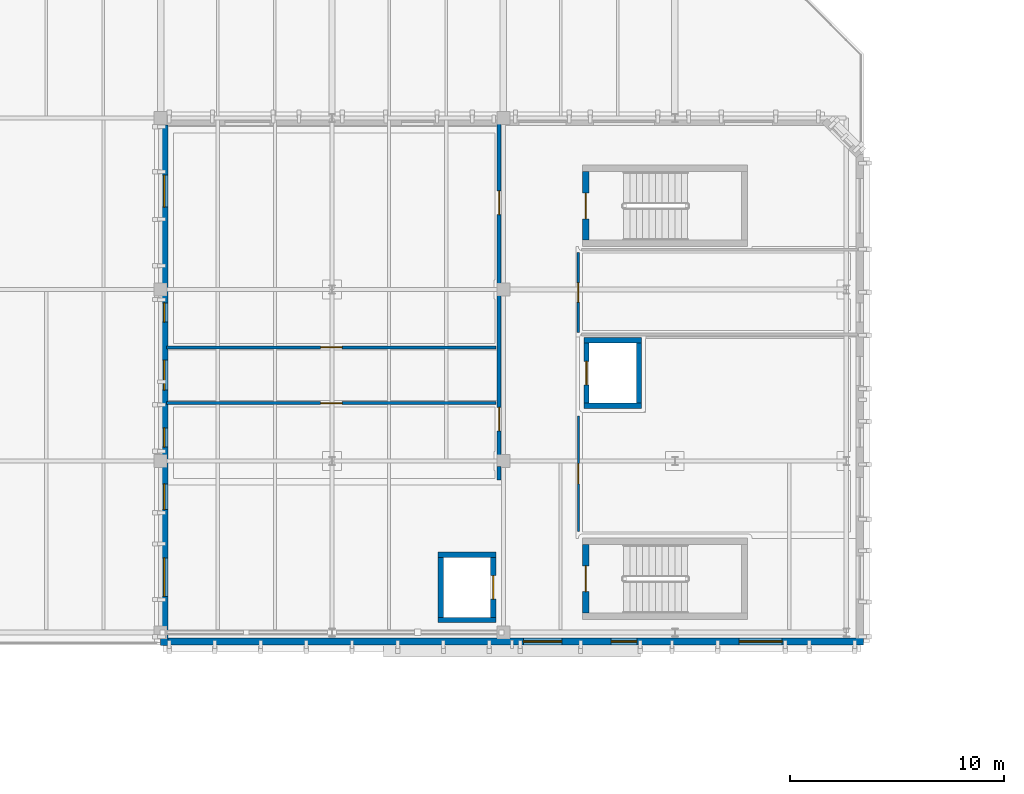
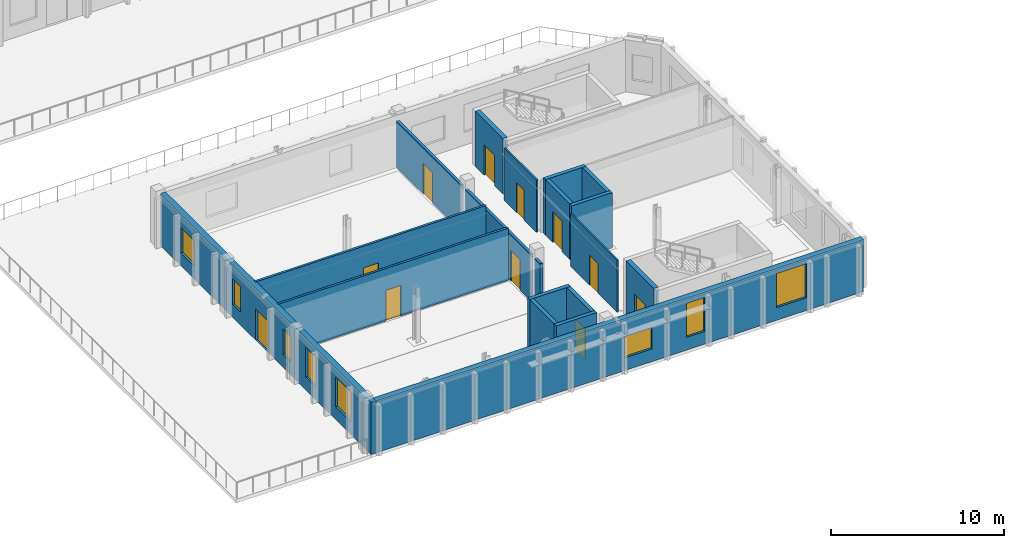
# One storey, part 24 of 43: 19 walls, 11 doors, 8 windows, 19 openings.
"""IFC4 building model written with IfcOpenShell, lengths in metres."""

from ifc_helpers import new_model, si_unit, direction, frame, frame_2d, origin, place, context, subcontext, project, spatial, rectangle, extrude, material, layer, layer_set, type_object, element, fill, save


model = new_model("IFC4")

# Units and contexts
model_context = context("Model", 3, precision=1e-05, world=origin(), true_north=direction((0.0, 1.0)))
body_context = subcontext(model_context, "Body", "Model", "MODEL_VIEW")
ifc_project = project(units=[si_unit("LENGTHUNIT", "METRE"), si_unit("AREAUNIT", "SQUARE_METRE"), si_unit("VOLUMEUNIT", "CUBIC_METRE"), si_unit("PLANEANGLEUNIT", "RADIAN"), si_unit("MASSUNIT", "GRAM", prefix="KILO")], contexts=[model_context])

# Site, building, storey
site_placement = place(None, origin())
site = spatial("IfcSite", under=ifc_project, at=site_placement, CompositionType="ELEMENT")
building_placement = place(site_placement, origin())
building = spatial("IfcBuilding", under=site, at=building_placement, Name="Cymarion Research Institute", CompositionType="ELEMENT")
storey_placement = place(building_placement, frame((0.0, 0.0, 22.800048828125)))
storey = spatial("IfcBuildingStorey", under=building, at=storey_placement, Name="L05", CompositionType="ELEMENT", Elevation=22.800048828125)

# Wall, openings, windows
ifc_material_1 = material(Name="Precast concrete C40/50", Category="concrete")
ifc_layer_1 = layer(ifc_material_1, 0.340087890625)
ifc_layer_set_1 = layer_set([ifc_layer_1], Name="Precast concrete C40/50")
wall_type_1 = type_object("IfcWallType", Name="EXTERIOR WALL EW-PC340 340MM", PredefinedType="SOLIDWALL", material=ifc_layer_set_1)
wall_1_placement = place(storey_placement, frame((14.922119140625, 47.070068359375, 0.0), z_axis=(0.0, 0.0, 1.0), x_axis=(1.0, 0.0, 0.0)))
wall_1 = element("IfcWall", 1, at=wall_1_placement, inside=storey, type_object=wall_type_1, Name="L05 V4 exterior wall EW-PC340 #239", PredefinedType="SOLIDWALL", context=body_context, shape_type="SweptSolid", body=[
    extrude(rectangle(XDim=32.477783203125, YDim=0.340087890625, at=frame_2d((16.23876953125, 0.0))), origin(), (0.0, 0.0, 1.0), 3.679931640625),
])
opening_1_placement = place(wall_1_placement, frame((16.60791015625, 0.0, 0.89990234375)))
opening_1 = element("IfcOpeningElement", 2, at=opening_1_placement, cuts=wall_1, Name="Opening W17", PredefinedType="OPENING", context=body_context, shape_type="SweptSolid", body=[
    extrude(rectangle(XDim=1.800048828125, YDim=1.5, at=frame_2d((0.89990234375, 0.75))), frame((0.0, 0.179931640625, 0.0), z_axis=(0.0, -1.0, 0.0), x_axis=(1.0, 0.0, 0.0)), (0.0, 0.0, 1.0), 0.360107421875),
])
opening_2_placement = place(wall_1_placement, frame((20.7080078125, 0.0, 0.89990234375)))
opening_2 = element("IfcOpeningElement", 3, at=opening_2_placement, cuts=wall_1, Name="Opening W19", PredefinedType="OPENING", context=body_context, shape_type="SweptSolid", body=[
    extrude(rectangle(XDim=1.199951171875, YDim=2.39990234375, at=frame_2d((0.60009765625, 1.199951171875))), frame((0.0, 0.179931640625, 0.0), z_axis=(0.0, -1.0, 0.0), x_axis=(1.0, 0.0, 0.0)), (0.0, 0.0, 1.0), 0.360107421875),
])
opening_3_placement = place(wall_1_placement, frame((26.677978515625, 0.0, 0.89990234375)))
opening_3 = element("IfcOpeningElement", 4, at=opening_3_placement, cuts=wall_1, Name="Opening W21", PredefinedType="OPENING", context=body_context, shape_type="SweptSolid", body=[
    extrude(rectangle(XDim=2.0, YDim=2.39990234375, at=frame_2d((1.0, 1.199951171875))), frame((0.0, 0.179931640625, 0.0), z_axis=(0.0, -1.0, 0.0), x_axis=(1.0, 0.0, 0.0)), (0.0, 0.0, 1.0), 0.360107421875),
])
ifc_material_2 = material(Name="Thermally broken aluminium window with Low-E glazing", Category="aluminium")
window_type_1 = type_object("IfcWindowType", Name="THERMALLY BROKEN ALUMINIUM WINDOW W17 1800X1500", PartitioningType="DOUBLE_PANEL_HORIZONTAL", PredefinedType="WINDOW", material=ifc_material_2)
window_1_placement = place(opening_1_placement, origin())
window_1 = element("IfcWindow", 5, at=window_1_placement, inside=storey, type_object=window_type_1, Name="L05 V4 facade window W17 #419", OverallHeight=1.5, OverallWidth=1.800048828125, PartitioningType="SINGLE_PANEL", PredefinedType="WINDOW", context=body_context, shape_type="SweptSolid", body=[
    extrude(rectangle(XDim=1.800048828125, YDim=1.5, at=frame_2d((0.89990234375, 0.75))), frame((0.0, 0.030029296875, 0.0), z_axis=(0.0, -1.0, 0.0), x_axis=(1.0, 0.0, 0.0)), (0.0, 0.0, 1.0), 0.06005859375),
])
fill(opening_1, window_1)
window_type_2 = type_object("IfcWindowType", Name="THERMALLY BROKEN ALUMINIUM WINDOW W19 1200X2400", PartitioningType="SINGLE_PANEL", PredefinedType="WINDOW", material=ifc_material_2)
window_2_placement = place(opening_2_placement, origin())
window_2 = element("IfcWindow", 6, at=window_2_placement, inside=storey, type_object=window_type_2, Name="L05 V4 facade window W19 #420", OverallHeight=2.39990234375, OverallWidth=1.199951171875, PartitioningType="SINGLE_PANEL", PredefinedType="WINDOW", context=body_context, shape_type="SweptSolid", body=[
    extrude(rectangle(XDim=1.199951171875, YDim=2.39990234375, at=frame_2d((0.60009765625, 1.199951171875))), frame((0.0, 0.030029296875, 0.0), z_axis=(0.0, -1.0, 0.0), x_axis=(1.0, 0.0, 0.0)), (0.0, 0.0, 1.0), 0.06005859375),
])
fill(opening_2, window_2)
window_type_3 = type_object("IfcWindowType", Name="THERMALLY BROKEN ALUMINIUM WINDOW W21 2000X2400", PartitioningType="DOUBLE_PANEL_VERTICAL", PredefinedType="WINDOW", material=ifc_material_2)
window_3_placement = place(opening_3_placement, origin())
window_3 = element("IfcWindow", 7, at=window_3_placement, inside=storey, type_object=window_type_3, Name="L05 V4 facade window W21 #421", OverallHeight=2.39990234375, OverallWidth=2.0, PartitioningType="SINGLE_PANEL", PredefinedType="WINDOW", context=body_context, shape_type="SweptSolid", body=[
    extrude(rectangle(XDim=2.0, YDim=2.39990234375, at=frame_2d((1.0, 1.199951171875))), frame((0.0, 0.030029296875, 0.0), z_axis=(0.0, -1.0, 0.0), x_axis=(1.0, 0.0, 0.0)), (0.0, 0.0, 1.0), 0.06005859375),
])
fill(opening_3, window_3)

# Wall, openings, door, windows
wall_2_placement = place(storey_placement, frame((14.77001953125, 71.177978515625, 0.0), z_axis=(0.0, 0.0, 1.0), x_axis=(0.0, -1.0, 0.0)))
wall_2 = element("IfcWall", 8, at=wall_2_placement, inside=storey, type_object=wall_type_1, Name="L05 V4 exterior wall EW-PC340 #243", PredefinedType="SOLIDWALL", context=body_context, shape_type="SweptSolid", body=[
    extrude(rectangle(XDim=24.278076171875, YDim=0.340087890625, at=frame_2d((12.13916015625, 0.0))), origin(), (0.0, 0.0, 1.0), 3.679931640625),
])
opening_4_placement = place(wall_2_placement, frame((10.97802734375, 0.0, 0.0)))
opening_4 = element("IfcOpeningElement", 9, at=opening_4_placement, cuts=wall_2, Name="Opening D-TR-L05-V4", PredefinedType="OPENING", context=body_context, shape_type="SweptSolid", body=[
    extrude(rectangle(XDim=1.39990234375, YDim=2.199951171875, at=frame_2d((0.699951171875, 1.10009765625))), frame((0.0, 0.179931640625, 0.0), z_axis=(0.0, -1.0, 0.0), x_axis=(1.0, 0.0, 0.0)), (0.0, 0.0, 1.0), 0.360107421875),
])
opening_5_placement = place(wall_2_placement, frame((2.333984375, 0.0, 0.89990234375)))
opening_5 = element("IfcOpeningElement", 10, at=opening_5_placement, cuts=wall_2, Name="Opening W02", PredefinedType="OPENING", context=body_context, shape_type="SweptSolid", body=[
    extrude(rectangle(XDim=1.5, YDim=1.800048828125, at=frame_2d((0.75, 0.89990234375))), frame((0.0, 0.179931640625, 0.0), z_axis=(0.0, -1.0, 0.0), x_axis=(1.0, 0.0, 0.0)), (0.0, 0.0, 1.0), 0.360107421875),
])
opening_6_placement = place(wall_2_placement, frame((8.298095703125, 0.0, 0.89990234375)))
opening_6 = element("IfcOpeningElement", 11, at=opening_6_placement, cuts=wall_2, Name="Opening W24", PredefinedType="OPENING", context=body_context, shape_type="SweptSolid", body=[
    extrude(rectangle(XDim=0.89990234375, YDim=1.800048828125, at=frame_2d((0.449951171875, 0.89990234375))), frame((0.0, 0.179931640625, 0.0), z_axis=(0.0, -1.0, 0.0), x_axis=(1.0, 0.0, 0.0)), (0.0, 0.0, 1.0), 0.360107421875),
])
opening_7_placement = place(wall_2_placement, frame((14.133056640625, 0.0, 0.89990234375)))
opening_7 = element("IfcOpeningElement", 12, at=opening_7_placement, cuts=wall_2, Name="Opening W24", PredefinedType="OPENING", context=body_context, shape_type="SweptSolid", body=[
    extrude(rectangle(XDim=0.89990234375, YDim=1.800048828125, at=frame_2d((0.449951171875, 0.89990234375))), frame((0.0, 0.179931640625, 0.0), z_axis=(0.0, -1.0, 0.0), x_axis=(1.0, 0.0, 0.0)), (0.0, 0.0, 1.0), 0.360107421875),
])
opening_8_placement = place(wall_2_placement, frame((16.748046875, 0.0, 0.89990234375)))
opening_8 = element("IfcOpeningElement", 13, at=opening_8_placement, cuts=wall_2, Name="Opening W08", PredefinedType="OPENING", context=body_context, shape_type="SweptSolid", body=[
    extrude(rectangle(XDim=1.199951171875, YDim=2.10009765625, at=frame_2d((0.60009765625, 1.050048828125))), frame((0.0, 0.179931640625, 0.0), z_axis=(0.0, -1.0, 0.0), x_axis=(1.0, 0.0, 0.0)), (0.0, 0.0, 1.0), 0.360107421875),
])
opening_9_placement = place(wall_2_placement, frame((20.197998046875, 0.0, 0.89990234375)))
opening_9 = element("IfcOpeningElement", 14, at=opening_9_placement, cuts=wall_2, Name="Opening W10", PredefinedType="OPENING", context=body_context, shape_type="SweptSolid", body=[
    extrude(rectangle(XDim=1.800048828125, YDim=2.10009765625, at=frame_2d((0.89990234375, 1.050048828125))), frame((0.0, 0.179931640625, 0.0), z_axis=(0.0, -1.0, 0.0), x_axis=(1.0, 0.0, 0.0)), (0.0, 0.0, 1.0), 0.360107421875),
])
ifc_material_3 = material(Name="Thermally broken anodised aluminium glazed door", Category="aluminium")
door_type_1 = type_object("IfcDoorType", Name="GLAZED ALUMINIUM TERRACE ACCESS DOOR DT-TR140 1400X2200", OperationType="NOTDEFINED", PredefinedType="DOOR", material=ifc_material_3)
door_1_placement = place(opening_4_placement, frame((1.39990234375, 0.0, 0.0), z_axis=(0.0, 0.0, 1.0), x_axis=(-1.0, 0.0, 0.0)))
door_1 = element("IfcDoor", 15, at=door_1_placement, inside=storey, type_object=door_type_1, Name="L05 V4 Roof Garden Terrace Door D-TR-L05-V4", OperationType="SINGLE_SWING_RIGHT", OverallHeight=2.199951171875, OverallWidth=1.39990234375, PredefinedType="DOOR", context=body_context, shape_type="SweptSolid", body=[
    extrude(rectangle(XDim=1.39990234375, YDim=2.199951171875, at=frame_2d((0.699951171875, 1.10009765625))), frame((0.0, 0.02490234375, 0.0), z_axis=(0.0, -1.0, 0.0), x_axis=(1.0, 0.0, 0.0)), (0.0, 0.0, 1.0), 0.050048828125),
])
fill(opening_4, door_1)
window_type_4 = type_object("IfcWindowType", Name="THERMALLY BROKEN ALUMINIUM WINDOW W02 1500X1800", PartitioningType="DOUBLE_PANEL_VERTICAL", PredefinedType="WINDOW", material=ifc_material_2)
window_4_placement = place(opening_5_placement, origin())
window_4 = element("IfcWindow", 16, at=window_4_placement, inside=storey, type_object=window_type_4, Name="L05 V4 facade window W02 #434", OverallHeight=1.800048828125, OverallWidth=1.5, PartitioningType="SINGLE_PANEL", PredefinedType="WINDOW", context=body_context, shape_type="SweptSolid", body=[
    extrude(rectangle(XDim=1.5, YDim=1.800048828125, at=frame_2d((0.75, 0.89990234375))), frame((0.0, 0.030029296875, 0.0), z_axis=(0.0, -1.0, 0.0), x_axis=(1.0, 0.0, 0.0)), (0.0, 0.0, 1.0), 0.06005859375),
])
fill(opening_5, window_4)
window_type_5 = type_object("IfcWindowType", Name="THERMALLY BROKEN ALUMINIUM WINDOW W08 1200X2100", PartitioningType="SINGLE_PANEL", PredefinedType="WINDOW", material=ifc_material_2)
window_5_placement = place(opening_8_placement, origin())
window_5 = element("IfcWindow", 17, at=window_5_placement, inside=storey, type_object=window_type_5, Name="L05 V4 facade window W08 #437", OverallHeight=2.10009765625, OverallWidth=1.199951171875, PartitioningType="SINGLE_PANEL", PredefinedType="WINDOW", context=body_context, shape_type="SweptSolid", body=[
    extrude(rectangle(XDim=1.199951171875, YDim=2.10009765625, at=frame_2d((0.60009765625, 1.050048828125))), frame((0.0, 0.030029296875, 0.0), z_axis=(0.0, -1.0, 0.0), x_axis=(1.0, 0.0, 0.0)), (0.0, 0.0, 1.0), 0.06005859375),
])
fill(opening_8, window_5)
window_type_6 = type_object("IfcWindowType", Name="THERMALLY BROKEN ALUMINIUM WINDOW W10 1800X2100", PartitioningType="DOUBLE_PANEL_VERTICAL", PredefinedType="WINDOW", material=ifc_material_2)
window_6_placement = place(opening_9_placement, origin())
window_6 = element("IfcWindow", 18, at=window_6_placement, inside=storey, type_object=window_type_6, Name="L05 V4 facade window W10 #438", OverallHeight=2.10009765625, OverallWidth=1.800048828125, PartitioningType="SINGLE_PANEL", PredefinedType="WINDOW", context=body_context, shape_type="SweptSolid", body=[
    extrude(rectangle(XDim=1.800048828125, YDim=2.10009765625, at=frame_2d((0.89990234375, 1.050048828125))), frame((0.0, 0.030029296875, 0.0), z_axis=(0.0, -1.0, 0.0), x_axis=(1.0, 0.0, 0.0)), (0.0, 0.0, 1.0), 0.06005859375),
])
fill(opening_9, window_6)
window_type_7 = type_object("IfcWindowType", Name="THERMALLY BROKEN ALUMINIUM WINDOW W24 900X1800", PartitioningType="SINGLE_PANEL", PredefinedType="WINDOW", material=ifc_material_2)
window_7_placement = place(opening_6_placement, origin())
window_7 = element("IfcWindow", 19, at=window_7_placement, inside=storey, type_object=window_type_7, Name="L05 V4 facade window W24 #435", OverallHeight=1.800048828125, OverallWidth=0.89990234375, PartitioningType="SINGLE_PANEL", PredefinedType="WINDOW", context=body_context, shape_type="SweptSolid", body=[
    extrude(rectangle(XDim=0.89990234375, YDim=1.800048828125, at=frame_2d((0.449951171875, 0.89990234375))), frame((0.0, 0.030029296875, 0.0), z_axis=(0.0, -1.0, 0.0), x_axis=(1.0, 0.0, 0.0)), (0.0, 0.0, 1.0), 0.06005859375),
])
fill(opening_6, window_7)
window_8_placement = place(opening_7_placement, origin())
window_8 = element("IfcWindow", 20, at=window_8_placement, inside=storey, type_object=window_type_7, Name="L05 V4 facade window W24 #436", OverallHeight=1.800048828125, OverallWidth=0.89990234375, PartitioningType="SINGLE_PANEL", PredefinedType="WINDOW", context=body_context, shape_type="SweptSolid", body=[
    extrude(rectangle(XDim=0.89990234375, YDim=1.800048828125, at=frame_2d((0.449951171875, 0.89990234375))), frame((0.0, 0.030029296875, 0.0), z_axis=(0.0, -1.0, 0.0), x_axis=(1.0, 0.0, 0.0)), (0.0, 0.0, 1.0), 0.06005859375),
])
fill(opening_7, window_8)

# Wall, opening, door
ifc_material_4 = material(Name="Gypsum acoustic double-stud partition", Category="gypsum")
ifc_layer_2 = layer(ifc_material_4, 0.14990234375)
ifc_layer_set_2 = layer_set([ifc_layer_2], Name="Gypsum acoustic double-stud partition")
wall_type_2 = type_object("IfcWallType", Name="INTERIOR PARTITION IW-AC150 150MM", PredefinedType="PARTITIONING", material=ifc_layer_set_2)
wall_3_placement = place(storey_placement, frame((14.885009765625, 58.199951171875, 0.0), z_axis=(0.0, 0.0, 1.0), x_axis=(1.0, 0.0, 0.0)))
wall_3 = element("IfcWall", 21, at=wall_3_placement, inside=storey, type_object=wall_type_2, Name="L05 V4 interior partition IW-AC150 #326", PredefinedType="PARTITIONING", context=body_context, shape_type="SweptSolid", body=[
    extrude(rectangle(XDim=15.364990234375, YDim=0.14990234375, at=frame_2d((7.6826171875, 0.0))), origin(), (0.0, 0.0, 1.0), 3.679931640625),
])
opening_10_placement = place(wall_3_placement, frame((7.181884765625, 0.0, 0.0)))
opening_10 = element("IfcOpeningElement", 22, at=opening_10_placement, cuts=wall_3, Name="Opening D-L05-195", PredefinedType="OPENING", context=body_context, shape_type="SweptSolid", body=[
    extrude(rectangle(XDim=1.0, YDim=2.14990234375, at=frame_2d((0.5, 1.074951171875))), frame((0.0, 0.0849609375, 0.0), z_axis=(0.0, -1.0, 0.0), x_axis=(1.0, 0.0, 0.0)), (0.0, 0.0, 1.0), 0.169921875),
])
ifc_material_5 = material(Name="Flush acoustic timber/steel door assembly", Category="steel")
door_type_2 = type_object("IfcDoorType", Name="LABORATORY SINGLE LEAF DOOR DT-LB100 1000X2150", OperationType="NOTDEFINED", PredefinedType="DOOR", material=ifc_material_5)
door_2_placement = place(opening_10_placement, origin())
door_2 = element("IfcDoor", 23, at=door_2_placement, inside=storey, type_object=door_type_2, Name="L05 Laser Lab door D-L05-195", OperationType="SINGLE_SWING_RIGHT", OverallHeight=2.14990234375, OverallWidth=1.0, PredefinedType="DOOR", context=body_context, shape_type="SweptSolid", body=[
    extrude(rectangle(XDim=1.0, YDim=2.14990234375, at=frame_2d((0.5, 1.074951171875))), frame((0.0, 0.02490234375, 0.0), z_axis=(0.0, -1.0, 0.0), x_axis=(1.0, 0.0, 0.0)), (0.0, 0.0, 1.0), 0.050048828125),
])
fill(opening_10, door_2)

wall_4_placement = place(storey_placement, frame((14.885009765625, 60.800048828125, 0.0), z_axis=(0.0, 0.0, 1.0), x_axis=(1.0, 0.0, 0.0)))
wall_4 = element("IfcWall", 24, at=wall_4_placement, inside=storey, type_object=wall_type_2, Name="L05 V4 interior partition IW-AC150 #327", PredefinedType="PARTITIONING", context=body_context, shape_type="SweptSolid", body=[
    extrude(rectangle(XDim=15.364990234375, YDim=0.14990234375, at=frame_2d((7.6826171875, 0.0))), origin(), (0.0, 0.0, 1.0), 3.679931640625),
])
opening_11_placement = place(wall_4_placement, frame((7.181884765625, 0.0, 0.0)))
opening_11 = element("IfcOpeningElement", 25, at=opening_11_placement, cuts=wall_4, Name="Opening D-L05-196", PredefinedType="OPENING", context=body_context, shape_type="SweptSolid", body=[
    extrude(rectangle(XDim=1.0, YDim=2.14990234375, at=frame_2d((0.5, 1.074951171875))), frame((0.0, 0.0849609375, 0.0), z_axis=(0.0, -1.0, 0.0), x_axis=(1.0, 0.0, 0.0)), (0.0, 0.0, 1.0), 0.169921875),
])
door_3_placement = place(opening_11_placement, origin())
door_3 = element("IfcDoor", 26, at=door_3_placement, inside=storey, type_object=door_type_2, Name="L05 Photonics Lab door D-L05-196", OperationType="SINGLE_SWING_LEFT", OverallHeight=2.14990234375, OverallWidth=1.0, PredefinedType="DOOR", context=body_context, shape_type="SweptSolid", body=[
    extrude(rectangle(XDim=1.0, YDim=2.14990234375, at=frame_2d((0.5, 1.074951171875))), frame((0.0, 0.02490234375, 0.0), z_axis=(0.0, -1.0, 0.0), x_axis=(1.0, 0.0, 0.0)), (0.0, 0.0, 1.0), 0.050048828125),
])
fill(opening_11, door_3)

ifc_material_6 = material(Name="Framed acoustic glass laboratory screen", Category="glass")
ifc_layer_3 = layer(ifc_material_6, 0.10009765625)
ifc_layer_set_3 = layer_set([ifc_layer_3], Name="Framed acoustic glass laboratory screen")
wall_type_3 = type_object("IfcWallType", Name="INTERIOR PARTITION IW-GL100 100MM", PredefinedType="PARTITIONING", material=ifc_layer_set_3)
wall_5_placement = place(storey_placement, frame((34.10009765625, 52.199951171875, 0.0), z_axis=(0.0, 0.0, 1.0), x_axis=(0.0, 1.0, 0.0)))
wall_5 = element("IfcWall", 27, at=wall_5_placement, inside=storey, type_object=wall_type_3, Name="L05 V4 interior partition IW-GL100 #331", PredefinedType="PARTITIONING", context=body_context, shape_type="SweptSolid", body=[
    extrude(rectangle(XDim=5.400146484375, YDim=0.10009765625, at=frame_2d((2.7001953125, 0.0))), origin(), (0.0, 0.0, 1.0), 3.679931640625),
])
opening_12_placement = place(wall_5_placement, frame((2.22509765625, 0.0, 0.0)))
opening_12 = element("IfcOpeningElement", 28, at=opening_12_placement, cuts=wall_5, Name="Opening D-L05-199", PredefinedType="OPENING", context=body_context, shape_type="SweptSolid", body=[
    extrude(rectangle(XDim=0.949951171875, YDim=2.10009765625, at=frame_2d((0.47509765625, 1.050048828125))), frame((0.0, 0.06005859375, 0.0), z_axis=(0.0, -1.0, 0.0), x_axis=(1.0, 0.0, 0.0)), (0.0, 0.0, 1.0), 0.1201171875),
])
door_type_3 = type_object("IfcDoorType", Name="FACULTY STUDY DOOR DT-OF095 950X2100", OperationType="NOTDEFINED", PredefinedType="DOOR", material=ifc_material_5)
door_4_placement = place(opening_12_placement, origin())
door_4 = element("IfcDoor", 29, at=door_4_placement, inside=storey, type_object=door_type_3, Name="L05 East Write-up door D-L05-199", OperationType="SINGLE_SWING_RIGHT", OverallHeight=2.10009765625, OverallWidth=0.949951171875, PredefinedType="DOOR", context=body_context, shape_type="SweptSolid", body=[
    extrude(rectangle(XDim=0.949951171875, YDim=2.10009765625, at=frame_2d((0.47509765625, 1.050048828125))), frame((0.0, 0.02490234375, 0.0), z_axis=(0.0, -1.0, 0.0), x_axis=(1.0, 0.0, 0.0)), (0.0, 0.0, 1.0), 0.050048828125),
])
fill(opening_12, door_4)

# Wall
ifc_material_7 = material(Name="Moisture-resistant laboratory partition", Category="gypsum")
ifc_layer_4 = layer(ifc_material_7, 0.179931640625)
ifc_layer_set_4 = layer_set([ifc_layer_4], Name="Moisture-resistant laboratory partition")
wall_type_4 = type_object("IfcWallType", Name="INTERIOR PARTITION IW-LB180 180MM", PredefinedType="PARTITIONING", material=ifc_layer_set_4)
wall_6_placement = place(storey_placement, frame((30.39990234375, 54.60009765625, 0.0), z_axis=(0.0, 0.0, 1.0), x_axis=(0.0, 1.0, 0.0)))
element("IfcWall", 30, at=wall_6_placement, inside=storey, type_object=wall_type_4, Name="L05 V4 interior partition IW-LB180 #328", PredefinedType="PARTITIONING", context=body_context, shape_type="SweptSolid", body=[
    extrude(rectangle(XDim=0.64990234375, YDim=0.179931640625, at=frame_2d((0.324951171875, 0.0))), origin(), (0.0, 0.0, 1.0), 3.280029296875),
])

# Wall, opening, door
wall_7_placement = place(storey_placement, frame((30.39990234375, 55.75, 0.0), z_axis=(0.0, 0.0, 1.0), x_axis=(0.0, 1.0, 0.0)))
wall_7 = element("IfcWall", 31, at=wall_7_placement, inside=storey, type_object=wall_type_4, Name="L05 V4 interior partition IW-LB180 #329", PredefinedType="PARTITIONING", context=body_context, shape_type="SweptSolid", body=[
    extrude(rectangle(XDim=7.5, YDim=0.179931640625, at=frame_2d((3.75, 0.0))), origin(), (0.0, 0.0, 1.0), 3.280029296875),
])
opening_13_placement = place(wall_7_placement, frame((1.152099609375, 0.0, 0.0)))
opening_13 = element("IfcOpeningElement", 32, at=opening_13_placement, cuts=wall_7, Name="Opening D-L05-197", PredefinedType="OPENING", context=body_context, shape_type="SweptSolid", body=[
    extrude(rectangle(XDim=1.10009765625, YDim=2.14990234375, at=frame_2d((0.550048828125, 1.074951171875))), frame((0.0, 0.099853515625, 0.0), z_axis=(0.0, -1.0, 0.0), x_axis=(1.0, 0.0, 0.0)), (0.0, 0.0, 1.0), 0.199951171875),
])
door_type_4 = type_object("IfcDoorType", Name="LABORATORY WIDE SINGLE DOOR DT-LB110 1100X2150", OperationType="NOTDEFINED", PredefinedType="DOOR", material=ifc_material_5)
door_5_placement = place(opening_13_placement, origin())
door_5 = element("IfcDoor", 33, at=door_5_placement, inside=storey, type_object=door_type_4, Name="L05 Optics South door D-L05-197", OperationType="SINGLE_SWING_RIGHT", OverallHeight=2.14990234375, OverallWidth=1.10009765625, PredefinedType="DOOR", context=body_context, shape_type="SweptSolid", body=[
    extrude(rectangle(XDim=1.10009765625, YDim=2.14990234375, at=frame_2d((0.550048828125, 1.074951171875))), frame((0.0, 0.02490234375, 0.0), z_axis=(0.0, -1.0, 0.0), x_axis=(1.0, 0.0, 0.0)), (0.0, 0.0, 1.0), 0.050048828125),
])
fill(opening_13, door_5)

wall_8_placement = place(storey_placement, frame((30.39990234375, 63.75, 0.0), z_axis=(0.0, 0.0, 1.0), x_axis=(0.0, 1.0, 0.0)))
wall_8 = element("IfcWall", 34, at=wall_8_placement, inside=storey, type_object=wall_type_4, Name="L05 V4 interior partition IW-LB180 #330", PredefinedType="PARTITIONING", context=body_context, shape_type="SweptSolid", body=[
    extrude(rectangle(XDim=7.465087890625, YDim=0.179931640625, at=frame_2d((3.732421875, 0.0))), origin(), (0.0, 0.0, 1.0), 3.280029296875),
])
opening_14_placement = place(wall_8_placement, frame((3.248046875, 0.0, 0.0)))
opening_14 = element("IfcOpeningElement", 35, at=opening_14_placement, cuts=wall_8, Name="Opening D-L05-198", PredefinedType="OPENING", context=body_context, shape_type="SweptSolid", body=[
    extrude(rectangle(XDim=1.10009765625, YDim=2.14990234375, at=frame_2d((0.550048828125, 1.074951171875))), frame((0.0, 0.099853515625, 0.0), z_axis=(0.0, -1.0, 0.0), x_axis=(1.0, 0.0, 0.0)), (0.0, 0.0, 1.0), 0.199951171875),
])
door_6_placement = place(opening_14_placement, origin())
door_6 = element("IfcDoor", 36, at=door_6_placement, inside=storey, type_object=door_type_4, Name="L05 Optics North door D-L05-198", OperationType="SINGLE_SWING_LEFT", OverallHeight=2.14990234375, OverallWidth=1.10009765625, PredefinedType="DOOR", context=body_context, shape_type="SweptSolid", body=[
    extrude(rectangle(XDim=1.10009765625, YDim=2.14990234375, at=frame_2d((0.550048828125, 1.074951171875))), frame((0.0, 0.02490234375, 0.0), z_axis=(0.0, -1.0, 0.0), x_axis=(1.0, 0.0, 0.0)), (0.0, 0.0, 1.0), 0.050048828125),
])
fill(opening_14, door_6)

ifc_material_8 = material(Name="Service riser shaft wall", Category="gypsum")
ifc_layer_5 = layer(ifc_material_8, 0.1201171875)
ifc_layer_set_5 = layer_set([ifc_layer_5], Name="Service riser shaft wall")
wall_type_5 = type_object("IfcWallType", Name="INTERIOR PARTITION IW-SH120 120MM", PredefinedType="PARTITIONING", material=ifc_layer_set_5)
wall_9_placement = place(storey_placement, frame((34.10009765625, 61.5, 0.0), z_axis=(0.0, 0.0, 1.0), x_axis=(0.0, 1.0, 0.0)))
wall_9 = element("IfcWall", 37, at=wall_9_placement, inside=storey, type_object=wall_type_5, Name="L05 V4 interior partition IW-SH120 #332", PredefinedType="PARTITIONING", context=body_context, shape_type="SweptSolid", body=[
    extrude(rectangle(XDim=3.719970703125, YDim=0.1201171875, at=frame_2d((1.85986328125, 0.0))), origin(), (0.0, 0.0, 1.0), 3.679931640625),
])
opening_15_placement = place(wall_9_placement, frame((1.409912109375, 0.0, 0.0)))
opening_15 = element("IfcOpeningElement", 38, at=opening_15_placement, cuts=wall_9, Name="Opening D-L05-200", PredefinedType="OPENING", context=body_context, shape_type="SweptSolid", body=[
    extrude(rectangle(XDim=0.89990234375, YDim=2.10009765625, at=frame_2d((0.449951171875, 1.050048828125))), frame((0.0, 0.070068359375, 0.0), z_axis=(0.0, -1.0, 0.0), x_axis=(1.0, 0.0, 0.0)), (0.0, 0.0, 1.0), 0.14013671875),
])
door_type_5 = type_object("IfcDoorType", Name="ACCESSIBLE RESTROOM DOOR DT-WC090 900X2100", OperationType="NOTDEFINED", PredefinedType="DOOR", material=ifc_material_5)
door_7_placement = place(opening_15_placement, origin())
door_7 = element("IfcDoor", 39, at=door_7_placement, inside=storey, type_object=door_type_5, Name="L05 Upper V4 WC door D-L05-200", OperationType="SINGLE_SWING_LEFT", OverallHeight=2.10009765625, OverallWidth=0.89990234375, PredefinedType="DOOR", context=body_context, shape_type="SweptSolid", body=[
    extrude(rectangle(XDim=0.89990234375, YDim=2.10009765625, at=frame_2d((0.449951171875, 1.050048828125))), frame((0.0, 0.02490234375, 0.0), z_axis=(0.0, -1.0, 0.0), x_axis=(1.0, 0.0, 0.0)), (0.0, 0.0, 1.0), 0.050048828125),
])
fill(opening_15, door_7)

# Walls
ifc_material_9 = material(Name="Concrete C40/50", Category="concrete")
ifc_layer_6 = layer(ifc_material_9, 0.25)
ifc_layer_set_6 = layer_set([ifc_layer_6], Name="Concrete C40/50")
wall_type_6 = type_object("IfcWallType", Name="REINFORCED CONCRETE CORE WALL CW-SH250 250MM", PredefinedType="SHEAR", material=ifc_layer_set_6)
for number, where, z_axis, x_axis, name in (
    (40, (27.550048828125, 48.074951171875, 0.0), (0.0, 0.0, 1.0), (1.0, 0.0, 0.0), "L05 LSH-LP1-L05 south core wall"),
    (41, (30.25, 51.125, 0.0), (0.0, 0.0, 1.0), (-1.0, 0.0, 0.0), "L05 LSH-LP1-L05 north core wall"),
):
    element("IfcWall", number, at=place(storey_placement, frame(where, z_axis=z_axis, x_axis=x_axis)), inside=storey, type_object=wall_type_6, Name=name, PredefinedType="SHEAR", context=body_context, shape_type="SweptSolid", body=[
        extrude(rectangle(XDim=2.699951171875, YDim=0.25, at=frame_2d((1.35009765625, 0.0))), origin(), (0.0, 0.0, 1.0), 3.89990234375),
    ])
wall_10_placement = place(storey_placement, frame((27.675048828125, 51.0, 0.0), z_axis=(0.0, 0.0, 1.0), x_axis=(0.0, -1.0, 0.0)))
element("IfcWall", 42, at=wall_10_placement, inside=storey, type_object=wall_type_6, Name="L05 LSH-LP1-L05 west core wall", PredefinedType="SHEAR", context=body_context, shape_type="SweptSolid", body=[
    extrude(rectangle(XDim=2.800048828125, YDim=0.25, at=frame_2d((1.39990234375, 0.0))), origin(), (0.0, 0.0, 1.0), 3.89990234375),
])

# Wall, opening, door
wall_11_placement = place(storey_placement, frame((30.125, 48.199951171875, 0.0), z_axis=(0.0, 0.0, 1.0), x_axis=(0.0, 1.0, 0.0)))
wall_11 = element("IfcWall", 43, at=wall_11_placement, inside=storey, type_object=wall_type_6, Name="L05 LSH-LP1-L05 east core wall", PredefinedType="SHEAR", context=body_context, shape_type="SweptSolid", body=[
    extrude(rectangle(XDim=2.800048828125, YDim=0.25, at=frame_2d((1.39990234375, 0.0))), origin(), (0.0, 0.0, 1.0), 3.89990234375),
])
opening_16_placement = place(wall_11_placement, frame((0.85009765625, 0.0, 0.0)))
opening_16 = element("IfcOpeningElement", 44, at=opening_16_placement, cuts=wall_11, Name="Opening LD-LP1-L05", PredefinedType="OPENING", context=body_context, shape_type="SweptSolid", body=[
    extrude(rectangle(XDim=1.10009765625, YDim=2.14990234375, at=frame_2d((0.550048828125, 1.074951171875))), frame((0.0, 0.135009765625, 0.0), z_axis=(0.0, -1.0, 0.0), x_axis=(1.0, 0.0, 0.0)), (0.0, 0.0, 1.0), 0.27001953125),
])
ifc_material_10 = material(Name="Fire-rated insulated steel door assembly", Category="steel")
door_type_6 = type_object("IfcDoorType", Name="SLIDING LIFT LANDING DOOR DT-LD110 1100X2150", OperationType="DOUBLE_DOOR_SLIDING", PredefinedType="DOOR", material=ifc_material_10)
door_8_placement = place(opening_16_placement, origin())
door_8 = element("IfcDoor", 45, at=door_8_placement, inside=storey, type_object=door_type_6, Name="Lift LP1 landing door L05", OperationType="DOUBLE_DOOR_SLIDING", OverallHeight=2.14990234375, OverallWidth=1.10009765625, PredefinedType="DOOR", context=body_context, shape_type="SweptSolid", body=[
    extrude(rectangle(XDim=1.10009765625, YDim=2.14990234375, at=frame_2d((0.550048828125, 1.074951171875))), frame((0.0, 0.02490234375, 0.0), z_axis=(0.0, -1.0, 0.0), x_axis=(1.0, 0.0, 0.0)), (0.0, 0.0, 1.0), 0.050048828125),
])
fill(opening_16, door_8)

# Walls
for number, where, z_axis, x_axis, name in (
    (46, (34.35009765625, 58.074951171875, 0.0), (0.0, 0.0, 1.0), (1.0, 0.0, 0.0), "L05 LSH-LP4-L05 south core wall"),
    (47, (37.050048828125, 61.125, 0.0), (0.0, 0.0, 1.0), (-1.0, 0.0, 0.0), "L05 LSH-LP4-L05 north core wall"),
):
    element("IfcWall", number, at=place(storey_placement, frame(where, z_axis=z_axis, x_axis=x_axis)), inside=storey, type_object=wall_type_6, Name=name, PredefinedType="SHEAR", context=body_context, shape_type="SweptSolid", body=[
        extrude(rectangle(XDim=2.699951171875, YDim=0.25, at=frame_2d((1.35009765625, 0.0))), origin(), (0.0, 0.0, 1.0), 3.89990234375),
    ])

# Wall, opening, door
wall_12_placement = place(storey_placement, frame((34.47509765625, 61.0, 0.0), z_axis=(0.0, 0.0, 1.0), x_axis=(0.0, -1.0, 0.0)))
wall_12 = element("IfcWall", 48, at=wall_12_placement, inside=storey, type_object=wall_type_6, Name="L05 LSH-LP4-L05 west core wall", PredefinedType="SHEAR", context=body_context, shape_type="SweptSolid", body=[
    extrude(rectangle(XDim=2.800048828125, YDim=0.25, at=frame_2d((1.39990234375, 0.0))), origin(), (0.0, 0.0, 1.0), 3.89990234375),
])
opening_17_placement = place(wall_12_placement, frame((0.85009765625, 0.0, 0.0)))
opening_17 = element("IfcOpeningElement", 49, at=opening_17_placement, cuts=wall_12, Name="Opening LD-LP4-L05", PredefinedType="OPENING", context=body_context, shape_type="SweptSolid", body=[
    extrude(rectangle(XDim=1.10009765625, YDim=2.14990234375, at=frame_2d((0.550048828125, 1.074951171875))), frame((0.0, 0.135009765625, 0.0), z_axis=(0.0, -1.0, 0.0), x_axis=(1.0, 0.0, 0.0)), (0.0, 0.0, 1.0), 0.27001953125),
])
door_9_placement = place(opening_17_placement, origin())
door_9 = element("IfcDoor", 50, at=door_9_placement, inside=storey, type_object=door_type_6, Name="Lift LP4 landing door L05", OperationType="DOUBLE_DOOR_SLIDING", OverallHeight=2.14990234375, OverallWidth=1.10009765625, PredefinedType="DOOR", context=body_context, shape_type="SweptSolid", body=[
    extrude(rectangle(XDim=1.10009765625, YDim=2.14990234375, at=frame_2d((0.550048828125, 1.074951171875))), frame((0.0, 0.02490234375, 0.0), z_axis=(0.0, -1.0, 0.0), x_axis=(1.0, 0.0, 0.0)), (0.0, 0.0, 1.0), 0.050048828125),
])
fill(opening_17, door_9)

# Wall
wall_13_placement = place(storey_placement, frame((36.925048828125, 58.199951171875, 0.0), z_axis=(0.0, 0.0, 1.0), x_axis=(0.0, 1.0, 0.0)))
element("IfcWall", 51, at=wall_13_placement, inside=storey, type_object=wall_type_6, Name="L05 LSH-LP4-L05 east core wall", PredefinedType="SHEAR", context=body_context, shape_type="SweptSolid", body=[
    extrude(rectangle(XDim=2.800048828125, YDim=0.25, at=frame_2d((1.39990234375, 0.0))), origin(), (0.0, 0.0, 1.0), 3.89990234375),
])

# Wall, opening, door
ifc_layer_7 = layer(ifc_material_9, 0.300048828125)
ifc_layer_set_7 = layer_set([ifc_layer_7], Name="Concrete C40/50")
wall_type_7 = type_object("IfcWallType", Name="REINFORCED CONCRETE CORE WALL CW-SH300 300MM", PredefinedType="SHEAR", material=ifc_layer_set_7)
wall_14_placement = place(storey_placement, frame((34.449951171875, 51.60009765625, 0.0), z_axis=(0.0, 0.0, 1.0), x_axis=(0.0, -1.0, 0.0)))
wall_14 = element("IfcWall", 52, at=wall_14_placement, inside=storey, type_object=wall_type_7, Name="L05 SHW-C7-L05 west core wall", PredefinedType="SHEAR", context=body_context, shape_type="SweptSolid", body=[
    extrude(rectangle(XDim=3.2001953125, YDim=0.300048828125, at=frame_2d((1.60009765625, 0.0))), origin(), (0.0, 0.0, 1.0), 3.89990234375),
])
opening_18_placement = place(wall_14_placement, frame((1.0, 0.0, 0.0)))
opening_18 = element("IfcOpeningElement", 53, at=opening_18_placement, cuts=wall_14, Name="Opening FD-L05-ST7", PredefinedType="OPENING", context=body_context, shape_type="SweptSolid", body=[
    extrude(rectangle(XDim=1.199951171875, YDim=2.14990234375, at=frame_2d((0.60009765625, 1.074951171875))), frame((0.0, 0.159912109375, 0.0), z_axis=(0.0, -1.0, 0.0), x_axis=(1.0, 0.0, 0.0)), (0.0, 0.0, 1.0), 0.320068359375),
])
door_type_7 = type_object("IfcDoorType", Name="SMOKE PROOF STAIR FIRE DOOR DT-ST120 1200X2150", OperationType="NOTDEFINED", PredefinedType="DOOR", material=ifc_material_10)
door_10_placement = place(opening_18_placement, origin())
door_10 = element("IfcDoor", 54, at=door_10_placement, inside=storey, type_object=door_type_7, Name="L05 ST7 smoke-proof stair door FD-L05-ST7", OperationType="SINGLE_SWING_LEFT", OverallHeight=2.14990234375, OverallWidth=1.199951171875, PredefinedType="DOOR", context=body_context, shape_type="SweptSolid", body=[
    extrude(rectangle(XDim=1.199951171875, YDim=2.14990234375, at=frame_2d((0.60009765625, 1.074951171875))), frame((0.0, 0.02490234375, 0.0), z_axis=(0.0, -1.0, 0.0), x_axis=(1.0, 0.0, 0.0)), (0.0, 0.0, 1.0), 0.050048828125),
])
fill(opening_18, door_10)

wall_15_placement = place(storey_placement, frame((34.449951171875, 69.0, 0.0), z_axis=(0.0, 0.0, 1.0), x_axis=(0.0, -1.0, 0.0)))
wall_15 = element("IfcWall", 55, at=wall_15_placement, inside=storey, type_object=wall_type_7, Name="L05 SHW-C8-L05 west core wall", PredefinedType="SHEAR", context=body_context, shape_type="SweptSolid", body=[
    extrude(rectangle(XDim=3.199951171875, YDim=0.300048828125, at=frame_2d((1.60009765625, 0.0))), origin(), (0.0, 0.0, 1.0), 3.89990234375),
])
opening_19_placement = place(wall_15_placement, frame((1.0, 0.0, 0.0)))
opening_19 = element("IfcOpeningElement", 56, at=opening_19_placement, cuts=wall_15, Name="Opening FD-L05-ST8", PredefinedType="OPENING", context=body_context, shape_type="SweptSolid", body=[
    extrude(rectangle(XDim=1.199951171875, YDim=2.14990234375, at=frame_2d((0.60009765625, 1.074951171875))), frame((0.0, 0.159912109375, 0.0), z_axis=(0.0, -1.0, 0.0), x_axis=(1.0, 0.0, 0.0)), (0.0, 0.0, 1.0), 0.320068359375),
])
door_11_placement = place(opening_19_placement, origin())
door_11 = element("IfcDoor", 57, at=door_11_placement, inside=storey, type_object=door_type_7, Name="L05 ST8 smoke-proof stair door FD-L05-ST8", OperationType="SINGLE_SWING_RIGHT", OverallHeight=2.14990234375, OverallWidth=1.199951171875, PredefinedType="DOOR", context=body_context, shape_type="SweptSolid", body=[
    extrude(rectangle(XDim=1.199951171875, YDim=2.14990234375, at=frame_2d((0.60009765625, 1.074951171875))), frame((0.0, 0.02490234375, 0.0), z_axis=(0.0, -1.0, 0.0), x_axis=(1.0, 0.0, 0.0)), (0.0, 0.0, 1.0), 0.050048828125),
])
fill(opening_19, door_11)

save(model, "model.ifc")
